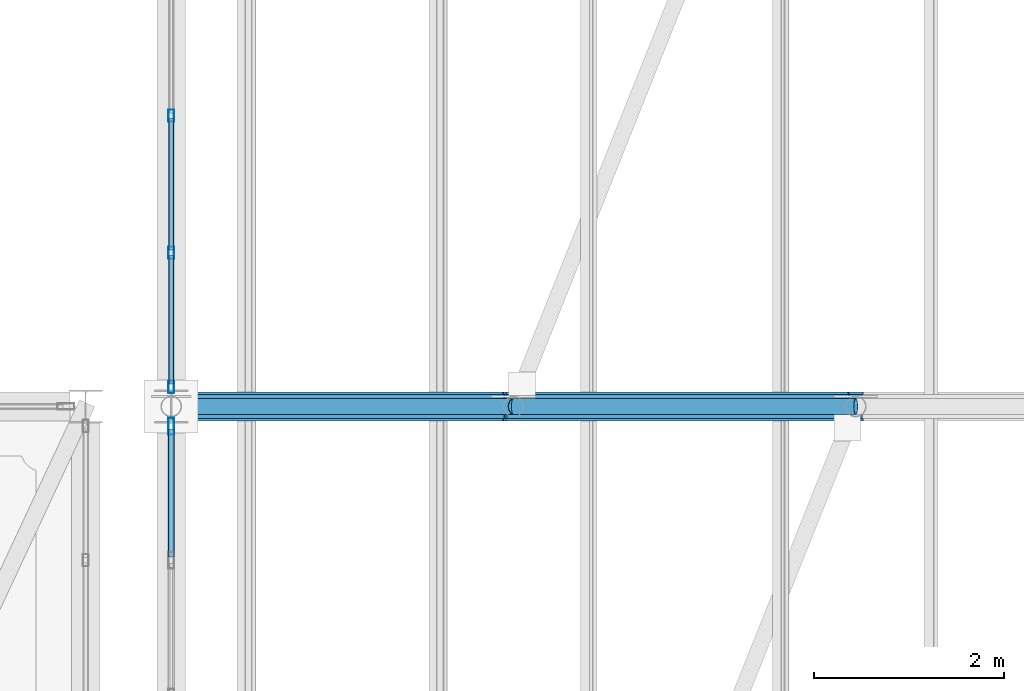
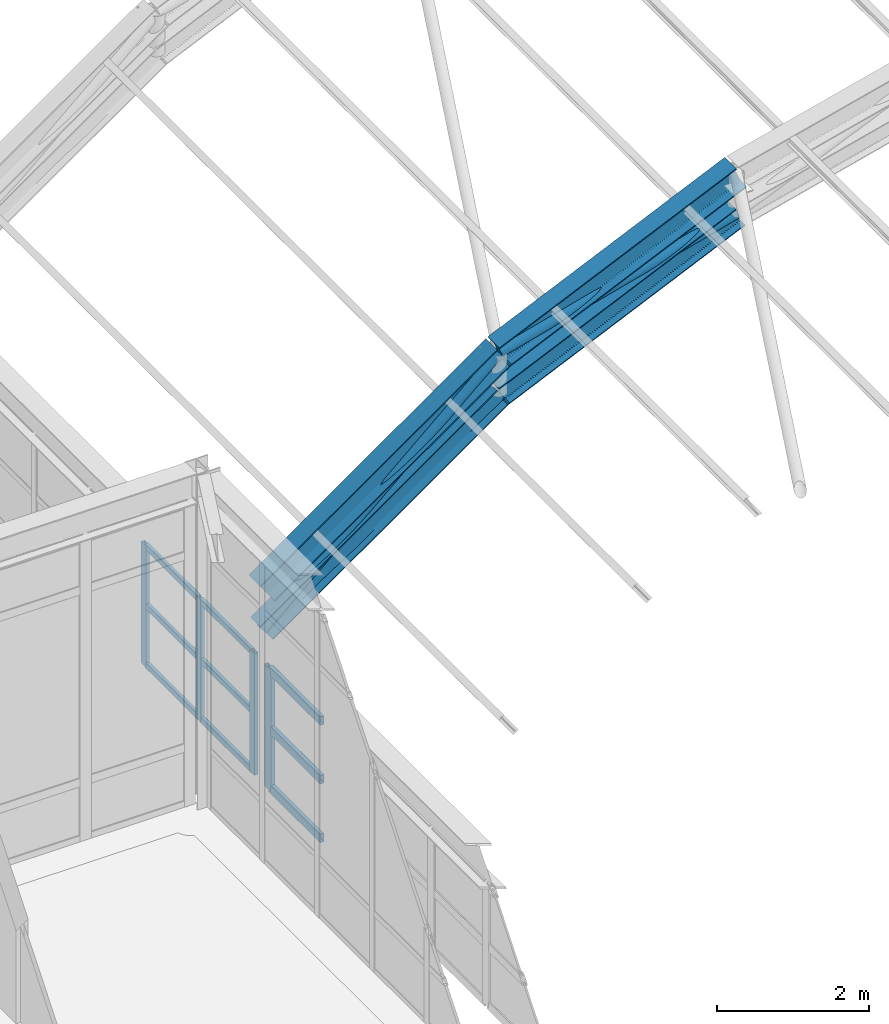
# One storey, part 72 of 121: 17 members, 2 beams, 2 elements without a shape of their own.
"""IFC4 building model written with IfcOpenShell, lengths in metres."""

import ifcopenshell
import ifcopenshell.guid

model = None  # the IFC model being written
_history = None  # IfcOwnerHistory: only IFC2X3 demands one
_inside = {}  # id of a spatial element -> (the spatial element, [elements in it])
_under = {}  # id of a project, library or spatial element -> (it, [spatial elements below it])
_declared = {}  # id of a project -> (the project, [libraries it declares])
_typed = {}  # id of a type object -> (the type object, [elements of that type])
_made_of = {}  # id of a material, layer set ... -> (it, [elements and type objects made of it])


def new_model(schema):
    """Start an empty IFC model of exactly this schema.

    Asked for "IFC4X3", IfcOpenShell would pick the latest addendum, in which some entities
    have other attributes; the version numbers below select the first issue.
    IFC2X3 requires an IfcOwnerHistory on every rooted entity: one is made here for all.
    """
    global model, _history
    if schema == "IFC4X3":
        model = ifcopenshell.file(schema_version=(4, 3, 0, 0))
    else:
        model = ifcopenshell.file(schema=schema)
    _inside.clear()
    _under.clear()
    _declared.clear()
    _typed.clear()
    _made_of.clear()
    _history = None
    if model.schema == "IFC2X3":
        org = make("IfcOrganization", Name="unknown")
        user = make(
            "IfcPersonAndOrganization",
            ThePerson=make("IfcPerson", FamilyName="unknown"),
            TheOrganization=org,
        )
        app = make(
            "IfcApplication",
            ApplicationDeveloper=org,
            Version="unknown",
            ApplicationFullName="unknown",
            ApplicationIdentifier="unknown",
        )
        _history = make(
            "IfcOwnerHistory",
            OwningUser=user,
            OwningApplication=app,
            ChangeAction="ADDED",
            CreationDate=0,
        )
    return model


def make(cls, **values):
    """One entity of the class cls with the attributes given. An attribute that is None is left unset."""
    return model.create_entity(
        cls, **{name: value for name, value in values.items() if value is not None}
    )


def rooted(cls, **values):
    """An entity with a GlobalId (a new one), such as an element, a storey or a relation."""
    return make(cls, GlobalId=ifcopenshell.guid.new(), OwnerHistory=_history, **values)


def si_unit(unit_type, name, prefix=None):
    """IfcSIUnit, for example si_unit("LENGTHUNIT", "METRE", prefix="MILLI")."""
    return make("IfcSIUnit", UnitType=unit_type, Prefix=prefix, Name=name)


def assignment(units):
    """IfcUnitAssignment: the units of a project."""
    return None if units is None else make("IfcUnitAssignment", Units=units)


def point(xyz):
    """IfcCartesianPoint."""
    return None if xyz is None else make("IfcCartesianPoint", Coordinates=xyz)


def direction(xyz):
    """IfcDirection."""
    return None if xyz is None else make("IfcDirection", DirectionRatios=xyz)


def frame(location, z_axis=None, x_axis=None):
    """IfcAxis2Placement3D, a coordinate frame: its origin and axes. An axis left out is left unset."""
    return make(
        "IfcAxis2Placement3D",
        Location=point(location),
        Axis=direction(z_axis),
        RefDirection=direction(x_axis),
    )


def frame_2d(location, x_axis=None):
    """IfcAxis2Placement2D, a coordinate frame in the plane: its origin and x axis."""
    return make(
        "IfcAxis2Placement2D", Location=point(location), RefDirection=direction(x_axis)
    )


def origin():
    """The frame at (0, 0, 0) with its axes left unset."""
    return frame((0.0, 0.0, 0.0))


def origin_2d():
    """The frame at (0, 0) in the plane with its x axis left unset."""
    return frame_2d((0.0, 0.0))


def place(relative_to, where):
    """IfcLocalPlacement: puts the frame where relative to a parent placement (None: the world)."""
    return make(
        "IfcLocalPlacement", PlacementRelTo=relative_to, RelativePlacement=where
    )


def context(
    kind, dimensions, precision=None, world=None, true_north=None, identifier=None
):
    """IfcGeometricRepresentationContext, for example the 3D "Model" context."""
    return make(
        "IfcGeometricRepresentationContext",
        ContextIdentifier=identifier,
        ContextType=kind,
        CoordinateSpaceDimension=dimensions,
        Precision=precision,
        WorldCoordinateSystem=world,
        TrueNorth=true_north,
    )


def subcontext(parent, identifier, kind, view, scale=None):
    """IfcGeometricRepresentationSubContext, for example "Body" below "Model"."""
    return make(
        "IfcGeometricRepresentationSubContext",
        ContextIdentifier=identifier,
        ContextType=kind,
        ParentContext=parent,
        TargetScale=scale,
        TargetView=view,
    )


def project(units=None, contexts=None):
    """IfcProject with its units and contexts."""
    return rooted(
        "IfcProject",
        Name="project",
        RepresentationContexts=contexts,
        UnitsInContext=assignment(units),
    )


def spatial(cls, under=None, at=None, **own):
    """A site, building, storey or space (cls), placed at a placement, below another one or the project."""
    s = rooted(cls, ObjectPlacement=at, **own)
    if under is not None:
        _under.setdefault(under.id(), (under, []))[1].append(s)
    return s


def profile(cls, at=None, kind="AREA", **sizes):
    """A parametric profile (cls). Its sizes go by their IFC names, for example OverallWidth=200.0."""
    return make(cls, ProfileType=kind, Position=at, **sizes)


def hollow_rectangle(**sizes):
    """IfcRectangleHollowProfileDef."""
    return profile("IfcRectangleHollowProfileDef", **sizes)


def hollow_circle(**sizes):
    """IfcCircleHollowProfileDef."""
    return profile("IfcCircleHollowProfileDef", **sizes)


def i_section(**sizes):
    """IfcIShapeProfileDef."""
    return profile("IfcIShapeProfileDef", **sizes)


def extrude(swept, where, along, depth):
    """IfcExtrudedAreaSolid: the profile swept, set in the frame where, extruded along a direction by depth."""
    return make(
        "IfcExtrudedAreaSolid",
        SweptArea=swept,
        Position=where,
        ExtrudedDirection=direction(along),
        Depth=depth,
    )


def shape(context_of_items, identifier, shape_type, items):
    """IfcShapeRepresentation: the items that make up one representation, for example the "Body"."""
    return make(
        "IfcShapeRepresentation",
        ContextOfItems=context_of_items,
        RepresentationIdentifier=identifier,
        RepresentationType=shape_type,
        Items=items,
    )


def material(Name=None, Category=None):
    """IfcMaterial."""
    return make("IfcMaterial", Name=Name, Category=Category)


def material_profile(
    of_material, cross_section, Name=None, Category=None, Priority=None
):
    """IfcMaterialProfile: a cross section and its material."""
    return make(
        "IfcMaterialProfile",
        Name=Name,
        Material=of_material,
        Profile=cross_section,
        Priority=Priority,
        Category=Category,
    )


def profile_set(profiles, Name=None, composite=None):
    """IfcMaterialProfileSet."""
    return make(
        "IfcMaterialProfileSet",
        Name=Name,
        MaterialProfiles=profiles,
        CompositeProfile=composite,
    )


def made_of(thing, what):
    """Note that an element or type object is made of a material, layer set ...; save() writes the relation."""
    if what is not None:
        _made_of.setdefault(what.id(), (what, []))[1].append(thing)
    return thing


def type_object(cls, material=None, **own):
    """A type object (cls), such as IfcWallType, which elements share."""
    return made_of(rooted(cls, **own), material)


def element(
    cls,
    number,
    at=None,
    inside=None,
    cuts=None,
    type_object=None,
    material=None,
    context=None,
    identifier="Body",
    shape_type=None,
    held_by="IfcProductDefinitionShape",
    body=None,
    shapes=None,
    **own,
):
    """One element of the class cls, such as IfcWall. Its Tag is "e" and its number.

    at: its placement. inside: the storey or other place that contains it. cuts: it is an
    opening in that element (IfcRelVoidsElement). A single representation is given by context,
    identifier, shape_type and body (its items); several are given by shapes. held_by: the class
    of the entity that holds the representations. save() writes the other relations.
    """
    e = rooted(cls, Tag="e%d" % number, ObjectPlacement=at, **own)
    if body is not None:
        shapes = [shape(context, identifier, shape_type, body)]
    if shapes is not None:
        e.Representation = make(held_by, Representations=shapes)
    if inside is not None:
        _inside.setdefault(inside.id(), (inside, []))[1].append(e)
    if cuts is not None:
        rooted(
            "IfcRelVoidsElement", RelatingBuildingElement=cuts, RelatedOpeningElement=e
        )
    if type_object is not None:
        _typed.setdefault(type_object.id(), (type_object, []))[1].append(e)
    return made_of(e, material)


def aggregate(whole, parts):
    """IfcRelAggregates: a whole, such as a stair, and the parts it consists of."""
    return rooted("IfcRelAggregates", RelatingObject=whole, RelatedObjects=parts)


def save(model, path):
    """Write the relations noted so far, then the file.

    IfcRelAggregates (storeys below a building ...), IfcRelContainedInSpatialStructure (elements
    in a storey), IfcRelDefinesByType, IfcRelAssociatesMaterial and IfcRelDeclares: one each for
    every whole, place, type object, material and project.
    """
    for whole, parts in _under.values():
        aggregate(whole, parts)
    for where, things in _inside.values():
        rooted(
            "IfcRelContainedInSpatialStructure",
            RelatedElements=things,
            RelatingStructure=where,
        )
    for kind, things in _typed.values():
        rooted("IfcRelDefinesByType", RelatedObjects=things, RelatingType=kind)
    for what, things in _made_of.values():
        rooted("IfcRelAssociatesMaterial", RelatedObjects=things, RelatingMaterial=what)
    for by, libraries in _declared.values():
        rooted("IfcRelDeclares", RelatingContext=by, RelatedDefinitions=libraries)
    model.write(path)


model = new_model("IFC4")

# Units and contexts
model_context = context("Model", 3, precision=1e-05, world=origin(), true_north=direction((0.0, 1.0)))
body_context = subcontext(model_context, "Body", "Model", "MODEL_VIEW")
ifc_project = project(units=[si_unit("LENGTHUNIT", "METRE"), si_unit("AREAUNIT", "SQUARE_METRE"), si_unit("VOLUMEUNIT", "CUBIC_METRE"), si_unit("PLANEANGLEUNIT", "RADIAN"), si_unit("MASSUNIT", "GRAM", prefix="KILO")], contexts=[model_context])

# Site, building, storey
site_placement = place(None, origin())
site = spatial("IfcSite", under=ifc_project, at=site_placement, CompositionType="ELEMENT")
building_placement = place(site_placement, origin())
building = spatial("IfcBuilding", under=site, at=building_placement, Name="Canglan Escarpment Cableway Terminal", CompositionType="ELEMENT")
storey_placement = place(building_placement, frame((0.0, 0.0, 24.60009765625)))
storey = spatial("IfcBuildingStorey", under=building, at=storey_placement, Name="L05", CompositionType="ELEMENT", Elevation=24.60009765625)

# Beams
ifc_material_1 = material(Name="Steel Q355B", Category="steel")
ifc_material_profile_1 = material_profile(ifc_material_1, i_section(OverallWidth=0.300048828125, OverallDepth=0.389892578125, WebThickness=0.010009765625, FlangeThickness=0.01611328125, FilletRadius=0.02197265625, at=origin_2d()), Name="HM 390x300x10x16")
ifc_profile_set_1 = profile_set([ifc_material_profile_1], Name="Steel Q355B")
beam_type = type_object("IfcBeamType", Name="BM-ARCH-TOP-HM390", PredefinedType="BEAM", material=ifc_profile_set_1)
beam_1_placement = place(storey_placement, frame((137.60009765625, 115.0, 3.08251953125), z_axis=(0.817731009495, 0.0, 0.575600552563), x_axis=(0.0, 1.0, 0.0)))
element("IfcBeam", 1, at=beam_1_placement, inside=storey, type_object=beam_type, Name="Vault ROOF TRUSS arch top chord AR-TC1", PredefinedType="BEAM", context=body_context, shape_type="SweptSolid", body=[
    extrude(i_section(OverallWidth=0.300048828125, OverallDepth=0.389892578125, WebThickness=0.010009765625, FlangeThickness=0.01611328125, FilletRadius=0.02197265625, at=origin_2d()), origin(), (0.0, 0.0, 1.0), 4.40234375),
])
beam_2_placement = place(storey_placement, frame((141.199951171875, 115.0, 5.616455078125), z_axis=(0.911752518833, 0.0, 0.410739996108), x_axis=(0.0, 1.0, 0.0)))
element("IfcBeam", 2, at=beam_2_placement, inside=storey, type_object=beam_type, Name="Vault ROOF TRUSS arch top chord AR-TC1", PredefinedType="BEAM", context=body_context, shape_type="SweptSolid", body=[
    extrude(i_section(OverallWidth=0.300048828125, OverallDepth=0.389892578125, WebThickness=0.010009765625, FlangeThickness=0.01611328125, FilletRadius=0.02197265625, at=origin_2d()), origin(), (0.0, 0.0, 1.0), 3.948486328125),
])

# Curtain wall, members
ifc_material_2 = material(Name="Anodized bronze aluminium and Low-E double glazing", Category="aluminium")
curtain_wall_type = type_object("IfcCurtainWallType", Name="CW-BAY-8650x1950", PredefinedType="NOTDEFINED", material=ifc_material_2)
curtain_wall_1_placement = place(storey_placement, origin())
curtain_wall_1 = element("IfcCurtainWall", 3, at=curtain_wall_1_placement, inside=storey, type_object=curtain_wall_type, Name="Classical bay-between-piers glazed curtain wall CW-66", PredefinedType="NOTDEFINED")
ifc_material_3 = material(Name="Thermally broken anodized aluminium 6063-T6", Category="aluminium")
ifc_material_profile_2 = material_profile(ifc_material_3, hollow_rectangle(XDim=0.06005859375, YDim=0.1298828125, WallThickness=0.0029296875, InnerFilletRadius=0.0029296875, OuterFilletRadius=0.006103515625, at=origin_2d()), Name="ALU-MULL 60x130x3")
ifc_profile_set_2 = profile_set([ifc_material_profile_2], Name="Thermally broken anodized aluminium 6063-T6")
member_type_1 = type_object("IfcMemberType", Name="CWM-01", PredefinedType="MULLION", material=ifc_profile_set_2)
member_1_placement = place(storey_placement, frame((137.60009765625, 118.058349609375, 0.0), z_axis=(0.0, 0.0, 1.0), x_axis=(1.0, 0.0, 0.0)))
member_1 = element("IfcMember", 4, at=member_1_placement, type_object=member_type_1, Name="CW-66 mullion 5", PredefinedType="MULLION", context=body_context, shape_type="SweptSolid", body=[
    extrude(hollow_rectangle(XDim=0.06005859375, YDim=0.1298828125, WallThickness=0.0029296875, InnerFilletRadius=0.0029296875, OuterFilletRadius=0.006103515625, at=origin_2d()), origin(), (0.0, 0.0, 1.0), 1.949951171875),
])
member_2_placement = place(storey_placement, frame((137.60009765625, 116.61669921875, 0.0), z_axis=(0.0, 0.0, 1.0), x_axis=(1.0, 0.0, 0.0)))
member_2 = element("IfcMember", 5, at=member_2_placement, type_object=member_type_1, Name="CW-66 mullion 6", PredefinedType="MULLION", context=body_context, shape_type="SweptSolid", body=[
    extrude(hollow_rectangle(XDim=0.06005859375, YDim=0.1298828125, WallThickness=0.0029296875, InnerFilletRadius=0.0029296875, OuterFilletRadius=0.006103515625, at=origin_2d()), origin(), (0.0, 0.0, 1.0), 1.949951171875),
])
member_3_placement = place(storey_placement, frame((137.60009765625, 115.205078125, 0.0), z_axis=(0.0, 0.0, 1.0), x_axis=(1.0, 0.0, 0.0)))
member_3 = element("IfcMember", 6, at=member_3_placement, type_object=member_type_1, Name="CW-66 mullion 7", PredefinedType="MULLION", context=body_context, shape_type="SweptSolid", body=[
    extrude(hollow_rectangle(XDim=0.06005859375, YDim=0.1298828125, WallThickness=0.0029296875, InnerFilletRadius=0.0029296875, OuterFilletRadius=0.006103515625, at=origin_2d()), origin(), (0.0, 0.0, 1.0), 1.949951171875),
])

# Curtain wall, member
curtain_wall_2_placement = place(storey_placement, origin())
curtain_wall_2 = element("IfcCurtainWall", 7, at=curtain_wall_2_placement, inside=storey, type_object=curtain_wall_type, Name="Classical bay-between-piers glazed curtain wall CW-66", PredefinedType="NOTDEFINED")
ifc_material_profile_3 = material_profile(ifc_material_3, hollow_rectangle(XDim=0.06494140625, YDim=0.179931640625, WallThickness=0.00390625, InnerFilletRadius=0.00390625, OuterFilletRadius=0.008056640625, at=origin_2d()), Name="ALU-MULL 65x180x4")
ifc_profile_set_3 = profile_set([ifc_material_profile_3], Name="Thermally broken anodized aluminium 6063-T6")
member_type_2 = type_object("IfcMemberType", Name="CWM-03", PredefinedType="MULLION", material=ifc_profile_set_3)
member_4_placement = place(storey_placement, frame((137.60009765625, 114.79248046875, 0.0), z_axis=(0.0, 0.0, 1.0), x_axis=(1.0, 0.0, 0.0)))
member_4 = element("IfcMember", 8, at=member_4_placement, type_object=member_type_2, Name="CW-66 mullion 1", PredefinedType="MULLION", context=body_context, shape_type="SweptSolid", body=[
    extrude(hollow_rectangle(XDim=0.06494140625, YDim=0.179931640625, WallThickness=0.00390625, InnerFilletRadius=0.00390625, OuterFilletRadius=0.008056640625, at=origin_2d()), origin(), (0.0, 0.0, 1.0), 1.949951171875),
])

# Member
ifc_material_profile_4 = material_profile(ifc_material_3, hollow_rectangle(XDim=0.054931640625, YDim=0.094970703125, WallThickness=0.0029296875, InnerFilletRadius=0.0029296875, OuterFilletRadius=0.006103515625, at=origin_2d()), Name="ALU-TRAN 55x95x3")
ifc_profile_set_4 = profile_set([ifc_material_profile_4], Name="Thermally broken anodized aluminium 6063-T6")
member_type_3 = type_object("IfcMemberType", Name="CWT-01", PredefinedType="USERDEFINED", material=ifc_profile_set_4)
member_5_placement = place(storey_placement, frame((137.60009765625, 118.0283203125, 0.02734375), z_axis=(0.0, -1.0, 0.0), x_axis=(1.0, 0.0, 0.0)))
member_5 = element("IfcMember", 9, at=member_5_placement, type_object=member_type_3, Name="CW-66 transom 5.1", ObjectType="TRANSOM", PredefinedType="USERDEFINED", context=body_context, shape_type="SweptSolid", body=[
    extrude(hollow_rectangle(XDim=0.054931640625, YDim=0.094970703125, WallThickness=0.0029296875, InnerFilletRadius=0.0029296875, OuterFilletRadius=0.006103515625, at=origin_2d()), origin(), (0.0, 0.0, 1.0), 1.381591796875),
])

member_6_placement = place(storey_placement, frame((137.60009765625, 118.0283203125, 0.974853515625), z_axis=(0.0, -1.0, 0.0), x_axis=(1.0, 0.0, 0.0)))
member_6 = element("IfcMember", 10, at=member_6_placement, type_object=member_type_3, Name="CW-66 transom 5.2", ObjectType="TRANSOM", PredefinedType="USERDEFINED", context=body_context, shape_type="SweptSolid", body=[
    extrude(hollow_rectangle(XDim=0.054931640625, YDim=0.094970703125, WallThickness=0.0029296875, InnerFilletRadius=0.0029296875, OuterFilletRadius=0.006103515625, at=origin_2d()), origin(), (0.0, 0.0, 1.0), 1.381591796875),
])

member_7_placement = place(storey_placement, frame((137.60009765625, 118.0283203125, 1.92236328125), z_axis=(0.0, -1.0, 0.0), x_axis=(1.0, 0.0, 0.0)))
member_7 = element("IfcMember", 11, at=member_7_placement, type_object=member_type_3, Name="CW-66 transom 5.3", ObjectType="TRANSOM", PredefinedType="USERDEFINED", context=body_context, shape_type="SweptSolid", body=[
    extrude(hollow_rectangle(XDim=0.054931640625, YDim=0.094970703125, WallThickness=0.0029296875, InnerFilletRadius=0.0029296875, OuterFilletRadius=0.006103515625, at=origin_2d()), origin(), (0.0, 0.0, 1.0), 1.381591796875),
])

member_8_placement = place(storey_placement, frame((137.60009765625, 116.586669921875, 0.02734375), z_axis=(0.0, -1.0, 0.0), x_axis=(1.0, 0.0, 0.0)))
member_8 = element("IfcMember", 12, at=member_8_placement, type_object=member_type_3, Name="CW-66 transom 6.1", ObjectType="TRANSOM", PredefinedType="USERDEFINED", context=body_context, shape_type="SweptSolid", body=[
    extrude(hollow_rectangle(XDim=0.054931640625, YDim=0.094970703125, WallThickness=0.0029296875, InnerFilletRadius=0.0029296875, OuterFilletRadius=0.006103515625, at=origin_2d()), origin(), (0.0, 0.0, 1.0), 1.3515625),
])

member_9_placement = place(storey_placement, frame((137.60009765625, 116.586669921875, 0.974853515625), z_axis=(0.0, -1.0, 0.0), x_axis=(1.0, 0.0, 0.0)))
member_9 = element("IfcMember", 13, at=member_9_placement, type_object=member_type_3, Name="CW-66 transom 6.2", ObjectType="TRANSOM", PredefinedType="USERDEFINED", context=body_context, shape_type="SweptSolid", body=[
    extrude(hollow_rectangle(XDim=0.054931640625, YDim=0.094970703125, WallThickness=0.0029296875, InnerFilletRadius=0.0029296875, OuterFilletRadius=0.006103515625, at=origin_2d()), origin(), (0.0, 0.0, 1.0), 1.3515625),
])

member_10_placement = place(storey_placement, frame((137.60009765625, 116.586669921875, 1.92236328125), z_axis=(0.0, -1.0, 0.0), x_axis=(1.0, 0.0, 0.0)))
member_10 = element("IfcMember", 14, at=member_10_placement, type_object=member_type_3, Name="CW-66 transom 6.3", ObjectType="TRANSOM", PredefinedType="USERDEFINED", context=body_context, shape_type="SweptSolid", body=[
    extrude(hollow_rectangle(XDim=0.054931640625, YDim=0.094970703125, WallThickness=0.0029296875, InnerFilletRadius=0.0029296875, OuterFilletRadius=0.006103515625, at=origin_2d()), origin(), (0.0, 0.0, 1.0), 1.3515625),
])

aggregate(curtain_wall_1, [member_1, member_2, member_3, member_5, member_6, member_7, member_8, member_9, member_10])

ifc_material_profile_5 = material_profile(ifc_material_3, hollow_rectangle(XDim=0.06494140625, YDim=0.139892578125, WallThickness=0.00341796875, InnerFilletRadius=0.00341796875, OuterFilletRadius=0.007080078125, at=origin_2d()), Name="ALU-TRAN 65x140x3.5")
ifc_profile_set_5 = profile_set([ifc_material_profile_5], Name="Thermally broken anodized aluminium 6063-T6")
member_type_4 = type_object("IfcMemberType", Name="CWT-03", PredefinedType="USERDEFINED", material=ifc_profile_set_5)
member_11_placement = place(storey_placement, frame((137.60009765625, 114.760009765625, 0.032470703125), z_axis=(0.0, -1.0, 0.0), x_axis=(1.0, 0.0, 0.0)))
member_11 = element("IfcMember", 15, at=member_11_placement, type_object=member_type_4, Name="CW-66 transom 1.1", ObjectType="TRANSOM", PredefinedType="USERDEFINED", context=body_context, shape_type="SweptSolid", body=[
    extrude(hollow_rectangle(XDim=0.06494140625, YDim=0.139892578125, WallThickness=0.00341796875, InnerFilletRadius=0.00341796875, OuterFilletRadius=0.007080078125, at=origin_2d()), origin(), (0.0, 0.0, 1.0), 1.34423828125),
])

member_12_placement = place(storey_placement, frame((137.60009765625, 114.760009765625, 0.974853515625), z_axis=(0.0, -1.0, 0.0), x_axis=(1.0, 0.0, 0.0)))
member_12 = element("IfcMember", 16, at=member_12_placement, type_object=member_type_4, Name="CW-66 transom 1.2", ObjectType="TRANSOM", PredefinedType="USERDEFINED", context=body_context, shape_type="SweptSolid", body=[
    extrude(hollow_rectangle(XDim=0.06494140625, YDim=0.139892578125, WallThickness=0.00341796875, InnerFilletRadius=0.00341796875, OuterFilletRadius=0.007080078125, at=origin_2d()), origin(), (0.0, 0.0, 1.0), 1.34423828125),
])

member_13_placement = place(storey_placement, frame((137.60009765625, 114.760009765625, 1.91748046875), z_axis=(0.0, -1.0, 0.0), x_axis=(1.0, 0.0, 0.0)))
member_13 = element("IfcMember", 17, at=member_13_placement, type_object=member_type_4, Name="CW-66 transom 1.3", ObjectType="TRANSOM", PredefinedType="USERDEFINED", context=body_context, shape_type="SweptSolid", body=[
    extrude(hollow_rectangle(XDim=0.06494140625, YDim=0.139892578125, WallThickness=0.00341796875, InnerFilletRadius=0.00341796875, OuterFilletRadius=0.007080078125, at=origin_2d()), origin(), (0.0, 0.0, 1.0), 1.34423828125),
])

aggregate(curtain_wall_2, [member_4, member_11, member_12, member_13])

# Members
ifc_material_profile_6 = material_profile(ifc_material_1, i_section(OverallWidth=0.25, OverallDepth=0.340087890625, WebThickness=0.009033203125, FlangeThickness=0.013916015625, FilletRadius=0.02001953125, at=origin_2d()), Name="HM 340x250x9x14")
ifc_profile_set_6 = profile_set([ifc_material_profile_6], Name="Steel Q355B")
member_type_5 = type_object("IfcMemberType", Name="MB-ARCH-BOT-HM340", PredefinedType="CHORD", material=ifc_profile_set_6)
member_14_placement = place(storey_placement, frame((137.60009765625, 115.0, 2.432373046875), z_axis=(0.81770490607, 0.0, 0.575637634792), x_axis=(0.0, 1.0, 0.0)))
element("IfcMember", 18, at=member_14_placement, inside=storey, type_object=member_type_5, Name="Vault ROOF TRUSS arch bottom chord AR-BC1", PredefinedType="CHORD", context=body_context, shape_type="SweptSolid", body=[
    extrude(i_section(OverallWidth=0.25, OverallDepth=0.340087890625, WebThickness=0.009033203125, FlangeThickness=0.013916015625, FilletRadius=0.02001953125, at=origin_2d()), origin(), (0.0, 0.0, 1.0), 4.40234375),
])
member_15_placement = place(storey_placement, frame((141.199951171875, 115.0, 4.966552734375), z_axis=(0.911752518833, 0.0, 0.410739996108), x_axis=(0.0, 1.0, 0.0)))
element("IfcMember", 19, at=member_15_placement, inside=storey, type_object=member_type_5, Name="Vault ROOF TRUSS arch bottom chord AR-BC1", PredefinedType="CHORD", context=body_context, shape_type="SweptSolid", body=[
    extrude(i_section(OverallWidth=0.25, OverallDepth=0.340087890625, WebThickness=0.009033203125, FlangeThickness=0.013916015625, FilletRadius=0.02001953125, at=origin_2d()), origin(), (0.0, 0.0, 1.0), 3.948486328125),
])
ifc_material_profile_7 = material_profile(ifc_material_1, hollow_circle(Radius=0.084228515625, WallThickness=0.006103515625, at=origin_2d()), Name="CHS 168.3x6")
ifc_profile_set_7 = profile_set([ifc_material_profile_7], Name="Steel Q355B")
member_type_6 = type_object("IfcMemberType", Name="MB-ARCH-DIAG-CHS168", PredefinedType="BRACE", material=ifc_profile_set_7)
member_16_placement = place(storey_placement, frame((137.60009765625, 115.0, 2.432373046875), z_axis=(0.749038254518, 0.0, 0.662526749096), x_axis=(0.0, 1.0, 0.0)))
element("IfcMember", 20, at=member_16_placement, inside=storey, type_object=member_type_6, Name="Vault ROOF TRUSS web diagonal AR-DG1", PredefinedType="BRACE", context=body_context, shape_type="SweptSolid", body=[
    extrude(hollow_circle(Radius=0.084228515625, WallThickness=0.006103515625, at=origin_2d()), origin(), (0.0, 0.0, 1.0), 4.805908203125),
])
member_17_placement = place(storey_placement, frame((141.199951171875, 115.0, 5.616455078125), z_axis=(0.96543600217, 0.0, 0.260640222748), x_axis=(0.0, 1.0, 0.0)))
element("IfcMember", 21, at=member_17_placement, inside=storey, type_object=member_type_6, Name="Vault ROOF TRUSS web diagonal AR-DG1", PredefinedType="BRACE", context=body_context, shape_type="SweptSolid", body=[
    extrude(hollow_circle(Radius=0.084228515625, WallThickness=0.006103515625, at=origin_2d()), origin(), (0.0, 0.0, 1.0), 3.72900390625),
])

save(model, "model.ifc")
